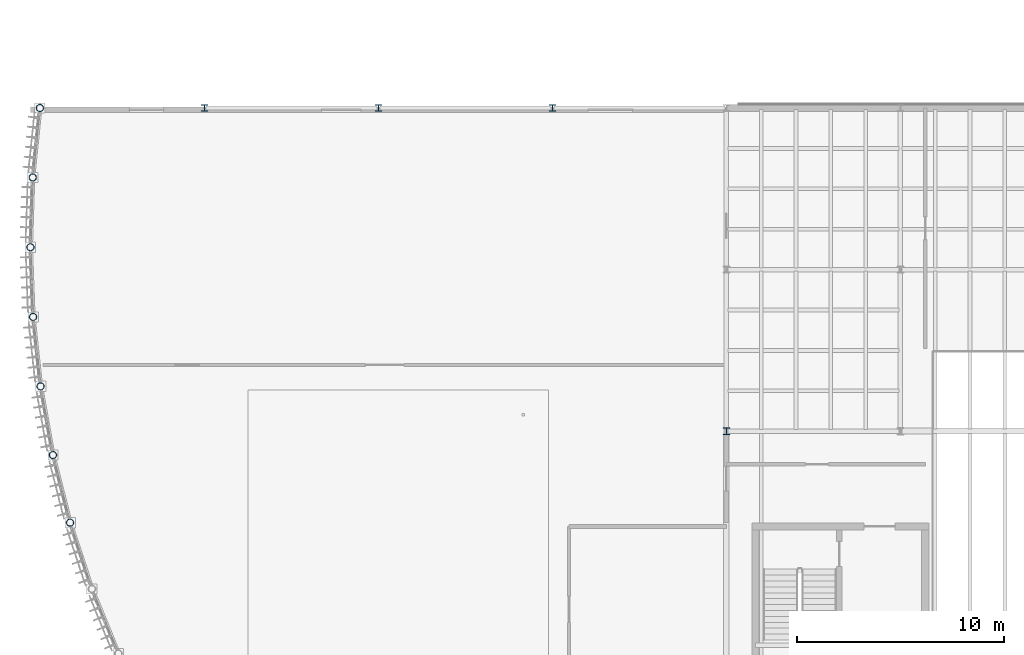
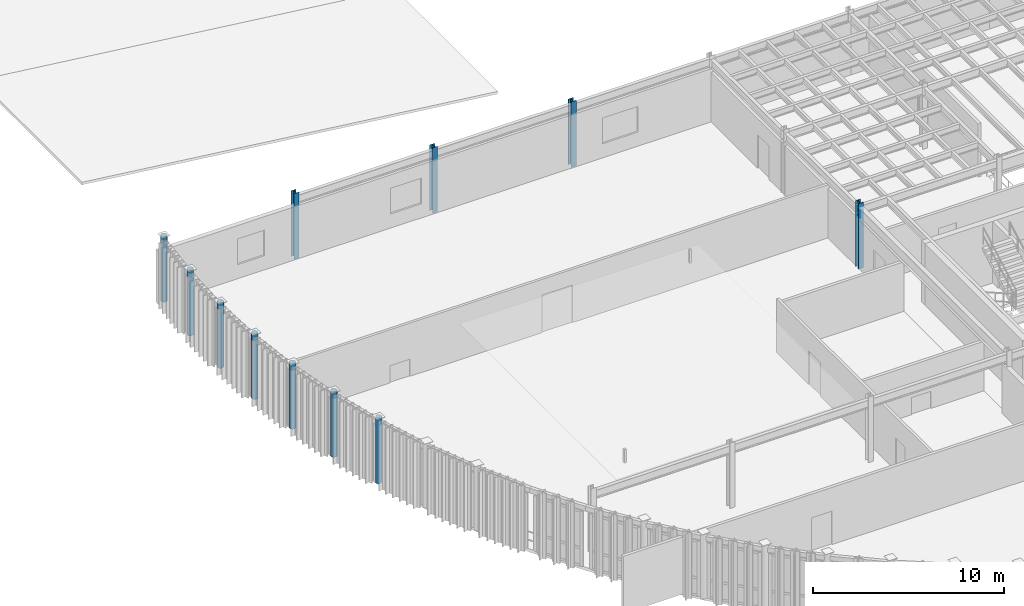
# One storey, part 3 of 26: 11 columns.
"""IFC4 building model written with IfcOpenShell, lengths in metres."""

from ifc_helpers import new_model, si_unit, direction, frame, origin, origin_2d, place, context, subcontext, project, spatial, hollow_circle, i_section, extrude, material, material_profile, profile_set, type_object, element, save


model = new_model("IFC4")

# Units and contexts
model_context = context("Model", 3, precision=1e-05, world=origin(), true_north=direction((0.0, 1.0)))
body_context = subcontext(model_context, "Body", "Model", "MODEL_VIEW")
ifc_project = project(units=[si_unit("LENGTHUNIT", "METRE"), si_unit("AREAUNIT", "SQUARE_METRE"), si_unit("VOLUMEUNIT", "CUBIC_METRE"), si_unit("PLANEANGLEUNIT", "RADIAN"), si_unit("MASSUNIT", "GRAM", prefix="KILO")], contexts=[model_context])

# Site, building, storey
site_placement = place(None, origin())
site = spatial("IfcSite", under=ifc_project, at=site_placement, CompositionType="ELEMENT")
building_placement = place(site_placement, origin())
building = spatial("IfcBuilding", under=site, at=building_placement, Name="Selat Folded Stagehouse", CompositionType="ELEMENT")
storey_placement = place(building_placement, frame((0.0, 0.0, 23.39990234375)))
storey = spatial("IfcBuildingStorey", under=building, at=storey_placement, Name="L05", CompositionType="ELEMENT", Elevation=23.39990234375)

# Columns
ifc_material = material(Name="Steel S355", Category="steel")
ifc_material_profile_1 = material_profile(ifc_material, hollow_circle(Radius=0.177734375, WallThickness=0.01611328125, at=origin_2d()), Name="CHS 355.6x16.0")
ifc_profile_set_1 = profile_set([ifc_material_profile_1], Name="Steel S355")
column_type_1 = type_object("IfcColumnType", Name="COL-CHS-355x16", PredefinedType="COLUMN", material=ifc_profile_set_1)
for number, where, z_axis, x_axis, name in (
    (1, (0.455810546875, 54.60009765625, 0.0), (0.0, 0.0, 1.0), (1.0, 0.0, 0.0), "L05 column STK-DRM-00"),
    (2, (0.110107421875, 51.248779296875, 0.0), (0.0, 0.0, 1.0), (1.0, 0.0, 0.0), "L05 column STK-DRM-01"),
    (3, (0.0, 47.881591796875, 0.0), (0.0, 0.0, 1.0), (1.0, 0.0, 0.0), "L05 column STK-DRM-02"),
    (4, (0.126708984375, 44.514892578125, 0.0), (0.0, 0.0, 1.0), (1.0, 0.0, 0.0), "L05 column STK-DRM-03"),
    (5, (0.489013671875, 41.16552734375, 0.0), (0.0, 0.0, 1.0), (1.0, 0.0, 0.0), "L05 column STK-DRM-04"),
    (6, (1.08544921875, 37.849609375, 0.0), (0.0, 0.0, 1.0), (1.0, 0.0, 0.0), "L05 column STK-DRM-05"),
    (7, (1.9130859375, 34.583984375, 0.0), (0.0, 0.0, 1.0), (1.0, 0.0, 0.0), "L05 column STK-DRM-06"),
):
    element("IfcColumn", number, at=place(storey_placement, frame(where, z_axis=z_axis, x_axis=x_axis)), inside=storey, type_object=column_type_1, Name=name, PredefinedType="COLUMN", context=body_context, shape_type="SweptSolid", body=[
        extrude(hollow_circle(Radius=0.177734375, WallThickness=0.01611328125, at=origin_2d()), origin(), (0.0, 0.0, 1.0), 4.2001953125),
    ])
ifc_material_profile_2 = material_profile(ifc_material, i_section(OverallWidth=0.30908203125, OverallDepth=0.320556640625, WebThickness=0.013916015625, FlangeThickness=0.021728515625, FilletRadius=0.01513671875, at=origin_2d()), Name="UKC 305x305x137")
ifc_profile_set_2 = profile_set([ifc_material_profile_2], Name="Steel S355")
column_type_2 = type_object("IfcColumnType", Name="COL-UKC-305x305x137", PredefinedType="COLUMN", material=ifc_profile_set_2)
for number, where, z_axis, x_axis, name in (
    (8, (8.39990234375, 54.60009765625, 0.0), (0.0, 0.0, 1.0), (1.0, 0.0, 0.0), "L05 column STK-V2-03"),
    (9, (16.800048828125, 54.60009765625, 0.0), (0.0, 0.0, 1.0), (1.0, 0.0, 0.0), "L05 column STK-V2-04"),
    (10, (25.199951171875, 54.60009765625, 0.0), (0.0, 0.0, 1.0), (1.0, 0.0, 0.0), "L05 column STK-V2-05"),
    (11, (33.60009765625, 39.0, 0.0), (0.0, 0.0, 1.0), (1.0, 0.0, 0.0), "L05 column STK-V2-08"),
):
    element("IfcColumn", number, at=place(storey_placement, frame(where, z_axis=z_axis, x_axis=x_axis)), inside=storey, type_object=column_type_2, Name=name, PredefinedType="COLUMN", context=body_context, shape_type="SweptSolid", body=[
        extrude(i_section(OverallWidth=0.30908203125, OverallDepth=0.320556640625, WebThickness=0.013916015625, FlangeThickness=0.021728515625, FilletRadius=0.01513671875, at=origin_2d()), origin(), (0.0, 0.0, 1.0), 4.2001953125),
    ])

save(model, "model.ifc")
